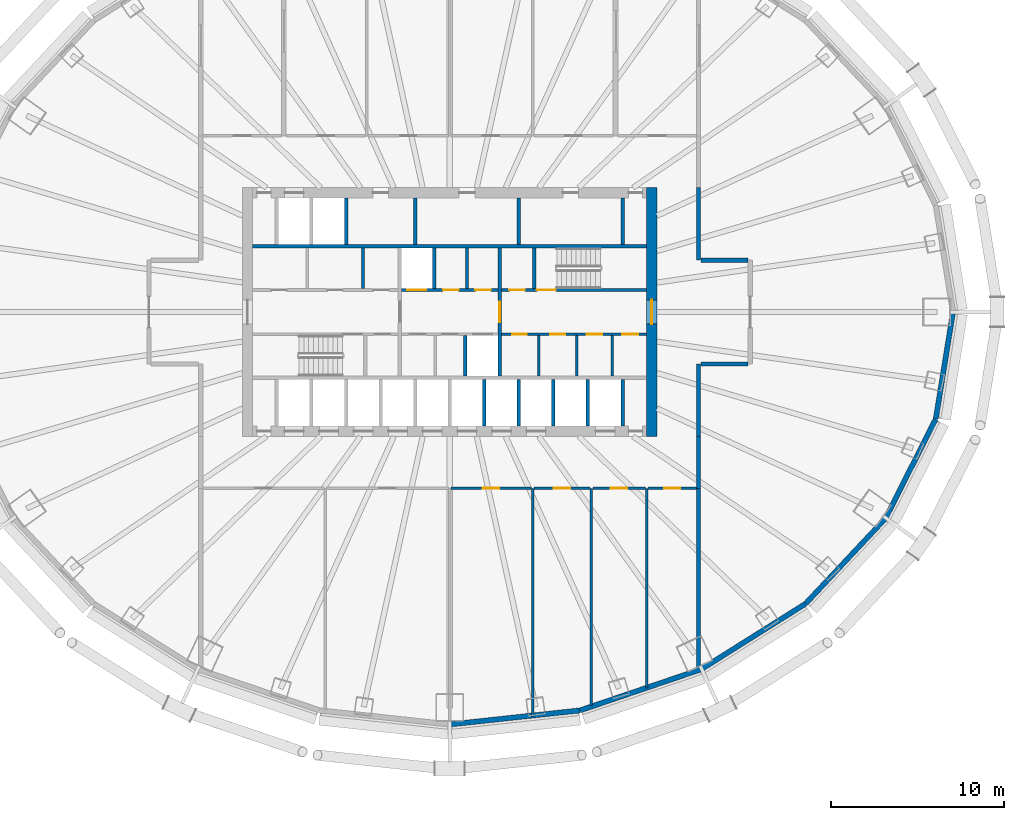
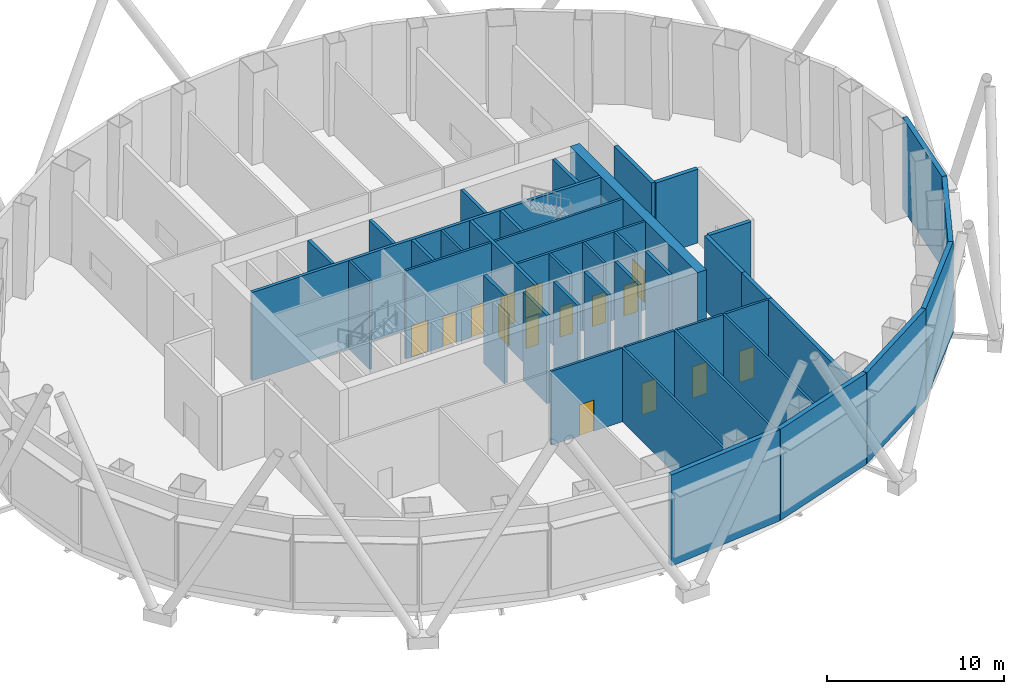
# One storey, part 5 of 13: 42 walls, 15 doors, 15 openings.
"""IFC4 building model written with IfcOpenShell, lengths in metres."""

from ifc_helpers import new_model, si_unit, direction, frame, frame_2d, origin, place, context, subcontext, project, spatial, rectangle, extrude, material, layer, layer_set, type_object, element, fill, save


model = new_model("IFC4")

# Units and contexts
model_context = context("Model", 3, precision=1e-05, world=origin(), true_north=direction((0.0, 1.0)))
body_context = subcontext(model_context, "Body", "Model", "MODEL_VIEW")
ifc_project = project(units=[si_unit("LENGTHUNIT", "METRE"), si_unit("AREAUNIT", "SQUARE_METRE"), si_unit("VOLUMEUNIT", "CUBIC_METRE"), si_unit("PLANEANGLEUNIT", "RADIAN"), si_unit("MASSUNIT", "GRAM", prefix="KILO")], contexts=[model_context])

# Site, building, storey
site_placement = place(None, origin())
site = spatial("IfcSite", under=ifc_project, at=site_placement, CompositionType="ELEMENT")
building_placement = place(site_placement, origin())
building = spatial("IfcBuilding", under=site, at=building_placement, Name="Siaravel Broadcast Tower", CompositionType="ELEMENT")
storey_placement = place(building_placement, frame((0.0, 0.0, 7.0)))
storey = spatial("IfcBuildingStorey", under=building, at=storey_placement, Name="L01", CompositionType="ELEMENT", Elevation=7.0)

# Walls
ifc_material_1 = material(Name="Concrete C40/50", Category="concrete")
ifc_layer_1 = layer(ifc_material_1, 0.300048828125)
ifc_layer_set_1 = layer_set([ifc_layer_1], Name="Concrete C40/50")
wall_type_1 = type_object("IfcWallType", Name="Acoustic studio wall", PredefinedType="STANDARD", material=ifc_layer_set_1)
wall_1_placement = place(storey_placement, frame((0.0, -23.86572265625, 0.0), z_axis=(0.0, 0.0, 1.0), x_axis=(0.994234458, 0.107227995, 0.0)))
element("IfcWall", 1, at=wall_1_placement, inside=storey, type_object=wall_type_1, Name="L01 studio acoustic wall 19", PredefinedType="STANDARD", context=body_context, shape_type="SweptSolid", body=[
    extrude(rectangle(XDim=7.57958984375, YDim=0.300048828125, at=frame_2d((3.789794921875, 0.0))), origin(), (0.0, 0.0, 1.0), 6.300048828125),
])
wall_2_placement = place(storey_placement, frame((7.535888671875, -23.052978515625, 0.0), z_axis=(0.0, 0.0, 1.0), x_axis=(0.946977627, 0.321299508, 0.0)))
element("IfcWall", 2, at=wall_2_placement, inside=storey, type_object=wall_type_1, Name="L01 studio acoustic wall 20", PredefinedType="STANDARD", context=body_context, shape_type="SweptSolid", body=[
    extrude(rectangle(XDim=7.416259765625, YDim=0.300048828125, at=frame_2d((3.7080078125, 0.0))), origin(), (0.0, 0.0, 1.0), 6.300048828125),
])
wall_3_placement = place(storey_placement, frame((14.558837890625, -20.670166015625, 0.0), z_axis=(0.0, 0.0, 1.0), x_axis=(0.846653753, 0.532144175, 0.0)))
element("IfcWall", 3, at=wall_3_placement, inside=storey, type_object=wall_type_1, Name="L01 studio acoustic wall 21", PredefinedType="STANDARD", context=body_context, shape_type="SweptSolid", body=[
    extrude(rectangle(XDim=7.12451171875, YDim=0.300048828125, at=frame_2d((3.562255859375, 0.0))), origin(), (0.0, 0.0, 1.0), 6.300048828125),
])
wall_4_placement = place(storey_placement, frame((20.5908203125, -16.87890625, 0.0), z_axis=(0.0, 0.0, 1.0), x_axis=(0.683676058, 0.729785617, 0.0)))
element("IfcWall", 4, at=wall_4_placement, inside=storey, type_object=wall_type_1, Name="L01 studio acoustic wall 22", PredefinedType="STANDARD", context=body_context, shape_type="SweptSolid", body=[
    extrude(rectangle(XDim=6.77197265625, YDim=0.300048828125, at=frame_2d((3.385986328125, 0.0))), origin(), (0.0, 0.0, 1.0), 6.300048828125),
])
wall_5_placement = place(storey_placement, frame((25.220703125, -11.936767578125, 0.0), z_axis=(0.0, 0.0, 1.0), x_axis=(0.45123552, 0.8924049, 0.0)))
element("IfcWall", 5, at=wall_5_placement, inside=storey, type_object=wall_type_1, Name="L01 studio acoustic wall 23", PredefinedType="STANDARD", context=body_context, shape_type="SweptSolid", body=[
    extrude(rectangle(XDim=6.451416015625, YDim=0.300048828125, at=frame_2d((3.2255859375, 0.0))), origin(), (0.0, 0.0, 1.0), 6.300048828125),
])
wall_6_placement = place(storey_placement, frame((28.1318359375, -6.179443359375, 0.0), z_axis=(0.0, 0.0, 1.0), x_axis=(0.158684207, 0.987329389, 0.0)))
element("IfcWall", 6, at=wall_6_placement, inside=storey, type_object=wall_type_1, Name="L01 studio acoustic wall 24", PredefinedType="STANDARD", context=body_context, shape_type="SweptSolid", body=[
    extrude(rectangle(XDim=6.2587890625, YDim=0.300048828125, at=frame_2d((3.12939453125, 0.0))), origin(), (0.0, 0.0, 1.0), 6.300048828125),
])
ifc_material_2 = material(Name="Concrete blockwork", Category="masonry")
ifc_layer_2 = layer(ifc_material_2, 0.14990234375)
ifc_layer_set_2 = layer_set([ifc_layer_2], Name="Concrete blockwork")
wall_type_2 = type_object("IfcWallType", Name="Core partition 150", PredefinedType="PARTITIONING", material=ifc_layer_set_2)
for number, where, z_axis, x_axis, name in (
    (7, (-5.01904296875, 1.35009765625, 0.0), (0.0, 0.0, 1.0), (0.0, 1.0, 0.0), "L01 core partition PNW1"),
    (8, (5.14208984375, -3.699951171875, 0.0), (0.0, 0.0, 1.0), (0.0, 1.0, 0.0), "L01 core partition PSE0"),
    (9, (7.35888671875, -3.699951171875, 0.0), (0.0, 0.0, 1.0), (0.0, 1.0, 0.0), "L01 core partition PSE1"),
    (10, (9.4169921875, -3.699951171875, 0.0), (0.0, 0.0, 1.0), (0.0, 1.0, 0.0), "L01 core partition PSE2"),
    (11, (1.0, 1.35009765625, 0.0), (0.0, 0.0, 1.0), (0.0, 1.0, 0.0), "L01 core partition PNM0"),
):
    element("IfcWall", number, at=place(storey_placement, frame(where, z_axis=z_axis, x_axis=x_axis)), inside=storey, type_object=wall_type_2, Name=name, PredefinedType="PARTITIONING", context=body_context, shape_type="SweptSolid", body=[
        extrude(rectangle(XDim=2.349853515625, YDim=0.14990234375, at=frame_2d((1.1748046875, 0.0))), origin(), (0.0, 0.0, 1.0), 6.10009765625),
    ])
ifc_layer_3 = layer(ifc_material_2, 0.199951171875)
ifc_layer_set_3 = layer_set([ifc_layer_3], Name="Concrete blockwork")
wall_type_3 = type_object("IfcWallType", Name="Core partition 200", PredefinedType="PARTITIONING", material=ifc_layer_set_3)
for number, where, z_axis, x_axis, name in (
    (12, (-2.0, 3.89990234375, 0.0), (0.0, 0.0, 1.0), (0.0, 1.0, 0.0), "L01 core partition PFN2"),
    (13, (4.0, 3.89990234375, 0.0), (0.0, 0.0, 1.0), (0.0, 1.0, 0.0), "L01 core partition PFN4"),
):
    element("IfcWall", number, at=place(storey_placement, frame(where, z_axis=z_axis, x_axis=x_axis)), inside=storey, type_object=wall_type_3, Name=name, PredefinedType="PARTITIONING", context=body_context, shape_type="SweptSolid", body=[
        extrude(rectangle(XDim=2.7001953125, YDim=0.199951171875, at=frame_2d((1.35009765625, 0.0))), origin(), (0.0, 0.0, 1.0), 6.10009765625),
    ])

# Wall, opening, door
ifc_material_3 = material(Name="Concrete C60/75", Category="concrete")
ifc_layer_4 = layer(ifc_material_3, 0.60009765625)
ifc_layer_set_4 = layer_set([ifc_layer_4], Name="Concrete C60/75")
wall_type_4 = type_object("IfcWallType", Name="Core wall 600", PredefinedType="SHEAR", material=ifc_layer_set_4)
wall_7_placement = place(storey_placement, frame((11.699951171875, -7.199951171875, 0.0), z_axis=(0.0, 0.0, 1.0), x_axis=(0.0, 1.0, 0.0)))
wall_7 = element("IfcWall", 14, at=wall_7_placement, inside=storey, type_object=wall_type_4, Name="L01 core wall OE", PredefinedType="SHEAR", context=body_context, shape_type="SweptSolid", body=[
    extrude(rectangle(XDim=14.39990234375, YDim=0.60009765625, at=frame_2d((7.199951171875, 0.0))), origin(), (0.0, 0.0, 1.0), 6.10009765625),
])
opening_1_placement = place(wall_7_placement, frame((6.5, 0.0, 0.0)))
opening_1 = element("IfcOpeningElement", 15, at=opening_1_placement, cuts=wall_7, Name="Opening L01-DX-E", PredefinedType="OPENING", context=body_context, shape_type="SweptSolid", body=[
    extrude(rectangle(XDim=1.39990234375, YDim=2.199951171875, at=frame_2d((0.699951171875, 1.10009765625))), frame((0.0, 0.31005859375, 0.0), z_axis=(0.0, -1.0, 0.0), x_axis=(1.0, 0.0, 0.0)), (0.0, 0.0, 1.0), 0.6201171875),
])
ifc_material_4 = material(Name="Steel", Category="steel")
door_type_1 = type_object("IfcDoorType", Name="Core exit door 1400", OperationType="DOUBLE_DOOR_SINGLE_SWING", PredefinedType="DOOR", material=ifc_material_4)
door_1_placement = place(opening_1_placement, origin())
door_1 = element("IfcDoor", 16, at=door_1_placement, inside=storey, type_object=door_type_1, Name="L01 door DX-E", OperationType="DOUBLE_DOOR_SINGLE_SWING", OverallHeight=2.199951171875, OverallWidth=1.39990234375, PredefinedType="DOOR", context=body_context, shape_type="SweptSolid", body=[
    extrude(rectangle(XDim=1.39990234375, YDim=2.199951171875, at=frame_2d((0.699951171875, 1.10009765625))), frame((0.0, 0.02490234375, 0.0), z_axis=(0.0, -1.0, 0.0), x_axis=(1.0, 0.0, 0.0)), (0.0, 0.0, 1.0), 0.050048828125),
])
fill(opening_1, door_1)

# Wall, openings, doors
ifc_material_5 = material(Name="Gypsum board partition", Category="gypsum")
ifc_layer_5 = layer(ifc_material_5, 0.14990234375)
ifc_layer_set_5 = layer_set([ifc_layer_5], Name="Gypsum board partition")
wall_type_5 = type_object("IfcWallType", Name="Corridor wall 150", PredefinedType="PARTITIONING", material=ifc_layer_set_5)
wall_8_placement = place(storey_placement, frame((3.0, -1.27490234375, 0.0), z_axis=(0.0, 0.0, 1.0), x_axis=(1.0, 0.0, 0.0)))
wall_8 = element("IfcWall", 17, at=wall_8_placement, inside=storey, type_object=wall_type_5, Name="L01 core partition CSE", PredefinedType="PARTITIONING", context=body_context, shape_type="SweptSolid", body=[
    extrude(rectangle(XDim=8.39990234375, YDim=0.14990234375, at=frame_2d((4.199951171875, 0.0))), origin(), (0.0, 0.0, 1.0), 6.10009765625),
])
opening_2_placement = place(wall_8_placement, frame((0.6083984375, 0.0, 0.0)))
opening_2 = element("IfcOpeningElement", 18, at=opening_2_placement, cuts=wall_8, Name="Opening L01-DSE0", PredefinedType="OPENING", context=body_context, shape_type="SweptSolid", body=[
    extrude(rectangle(XDim=0.85009765625, YDim=2.10009765625, at=frame_2d((0.425048828125, 1.050048828125))), frame((0.0, 0.0849609375, 0.0), z_axis=(0.0, -1.0, 0.0), x_axis=(1.0, 0.0, 0.0)), (0.0, 0.0, 1.0), 0.169921875),
])
opening_3_placement = place(wall_8_placement, frame((2.825439453125, 0.0, 0.0)))
opening_3 = element("IfcOpeningElement", 19, at=opening_3_placement, cuts=wall_8, Name="Opening L01-DSE1", PredefinedType="OPENING", context=body_context, shape_type="SweptSolid", body=[
    extrude(rectangle(XDim=0.85009765625, YDim=2.10009765625, at=frame_2d((0.425048828125, 1.050048828125))), frame((0.0, 0.0849609375, 0.0), z_axis=(0.0, -1.0, 0.0), x_axis=(1.0, 0.0, 0.0)), (0.0, 0.0, 1.0), 0.169921875),
])
opening_4_placement = place(wall_8_placement, frame((4.93798828125, 0.0, 0.0)))
opening_4 = element("IfcOpeningElement", 20, at=opening_4_placement, cuts=wall_8, Name="Opening L01-DSE2", PredefinedType="OPENING", context=body_context, shape_type="SweptSolid", body=[
    extrude(rectangle(XDim=0.89990234375, YDim=2.10009765625, at=frame_2d((0.449951171875, 1.050048828125))), frame((0.0, 0.0849609375, 0.0), z_axis=(0.0, -1.0, 0.0), x_axis=(1.0, 0.0, 0.0)), (0.0, 0.0, 1.0), 0.169921875),
])
opening_5_placement = place(wall_8_placement, frame((6.99609375, 0.0, 0.0)))
opening_5 = element("IfcOpeningElement", 21, at=opening_5_placement, cuts=wall_8, Name="Opening L01-DSE3", PredefinedType="OPENING", context=body_context, shape_type="SweptSolid", body=[
    extrude(rectangle(XDim=0.89990234375, YDim=2.10009765625, at=frame_2d((0.449951171875, 1.050048828125))), frame((0.0, 0.0849609375, 0.0), z_axis=(0.0, -1.0, 0.0), x_axis=(1.0, 0.0, 0.0)), (0.0, 0.0, 1.0), 0.169921875),
])
ifc_material_6 = material(Name="Timber veneer", Category="wood")
door_type_2 = type_object("IfcDoorType", Name="Core room door 900", OperationType="SINGLE_SWING_LEFT", PredefinedType="DOOR", material=ifc_material_6)
door_2_placement = place(opening_4_placement, origin())
door_2 = element("IfcDoor", 22, at=door_2_placement, inside=storey, type_object=door_type_2, Name="L01 door DSE2", OperationType="SINGLE_SWING_LEFT", OverallHeight=2.10009765625, OverallWidth=0.89990234375, PredefinedType="DOOR", context=body_context, shape_type="SweptSolid", body=[
    extrude(rectangle(XDim=0.89990234375, YDim=2.10009765625, at=frame_2d((0.449951171875, 1.050048828125))), frame((0.0, 0.02490234375, 0.0), z_axis=(0.0, -1.0, 0.0), x_axis=(1.0, 0.0, 0.0)), (0.0, 0.0, 1.0), 0.050048828125),
])
fill(opening_4, door_2)
door_3_placement = place(opening_5_placement, origin())
door_3 = element("IfcDoor", 23, at=door_3_placement, inside=storey, type_object=door_type_2, Name="L01 door DSE3", OperationType="SINGLE_SWING_LEFT", OverallHeight=2.10009765625, OverallWidth=0.89990234375, PredefinedType="DOOR", context=body_context, shape_type="SweptSolid", body=[
    extrude(rectangle(XDim=0.89990234375, YDim=2.10009765625, at=frame_2d((0.449951171875, 1.050048828125))), frame((0.0, 0.02490234375, 0.0), z_axis=(0.0, -1.0, 0.0), x_axis=(1.0, 0.0, 0.0)), (0.0, 0.0, 1.0), 0.050048828125),
])
fill(opening_5, door_3)
door_type_3 = type_object("IfcDoorType", Name="Core toilet door 850", OperationType="SINGLE_SWING_LEFT", PredefinedType="DOOR", material=ifc_material_6)
door_4_placement = place(opening_2_placement, origin())
door_4 = element("IfcDoor", 24, at=door_4_placement, inside=storey, type_object=door_type_3, Name="L01 door DSE0", OperationType="SINGLE_SWING_LEFT", OverallHeight=2.10009765625, OverallWidth=0.85009765625, PredefinedType="DOOR", context=body_context, shape_type="SweptSolid", body=[
    extrude(rectangle(XDim=0.85009765625, YDim=2.10009765625, at=frame_2d((0.425048828125, 1.050048828125))), frame((0.0, 0.02490234375, 0.0), z_axis=(0.0, -1.0, 0.0), x_axis=(1.0, 0.0, 0.0)), (0.0, 0.0, 1.0), 0.050048828125),
])
fill(opening_2, door_4)
door_5_placement = place(opening_3_placement, origin())
door_5 = element("IfcDoor", 25, at=door_5_placement, inside=storey, type_object=door_type_3, Name="L01 door DSE1", OperationType="SINGLE_SWING_LEFT", OverallHeight=2.10009765625, OverallWidth=0.85009765625, PredefinedType="DOOR", context=body_context, shape_type="SweptSolid", body=[
    extrude(rectangle(XDim=0.85009765625, YDim=2.10009765625, at=frame_2d((0.425048828125, 1.050048828125))), frame((0.0, 0.02490234375, 0.0), z_axis=(0.0, -1.0, 0.0), x_axis=(1.0, 0.0, 0.0)), (0.0, 0.0, 1.0), 0.050048828125),
])
fill(opening_3, door_5)

# Wall, opening, door
wall_9_placement = place(storey_placement, frame((0.076904296875, -10.199951171875, 0.0), z_axis=(0.0, 0.0, 1.0), x_axis=(1.0, 0.0, 0.0)))
wall_9 = element("IfcWall", 26, at=wall_9_placement, inside=storey, type_object=wall_type_5, Name="L01 partition 22", PredefinedType="PARTITIONING", context=body_context, shape_type="SweptSolid", body=[
    extrude(rectangle(XDim=4.64599609375, YDim=0.14990234375, at=frame_2d((2.322998046875, 0.0))), origin(), (0.0, 0.0, 1.0), 5.10009765625),
])
opening_6_placement = place(wall_9_placement, frame((1.847900390625, 0.0, 0.0)))
opening_6 = element("IfcOpeningElement", 27, at=opening_6_placement, cuts=wall_9, Name="Opening L01-009", PredefinedType="OPENING", context=body_context, shape_type="SweptSolid", body=[
    extrude(rectangle(XDim=0.949951171875, YDim=2.14990234375, at=frame_2d((0.47509765625, 1.074951171875))), frame((0.0, 0.0849609375, 0.0), z_axis=(0.0, -1.0, 0.0), x_axis=(1.0, 0.0, 0.0)), (0.0, 0.0, 1.0), 0.169921875),
])
door_type_4 = type_object("IfcDoorType", Name="Office door 950", OperationType="SINGLE_SWING_LEFT", PredefinedType="DOOR", material=ifc_material_6)
door_6_placement = place(opening_6_placement, origin())
door_6 = element("IfcDoor", 28, at=door_6_placement, inside=storey, type_object=door_type_4, Name="L01 door to Costume store", OperationType="SINGLE_SWING_LEFT", OverallHeight=2.14990234375, OverallWidth=0.949951171875, PredefinedType="DOOR", context=body_context, shape_type="SweptSolid", body=[
    extrude(rectangle(XDim=0.949951171875, YDim=2.14990234375, at=frame_2d((0.47509765625, 1.074951171875))), frame((0.0, 0.02490234375, 0.0), z_axis=(0.0, -1.0, 0.0), x_axis=(1.0, 0.0, 0.0)), (0.0, 0.0, 1.0), 0.050048828125),
])
fill(opening_6, door_6)

wall_10_placement = place(storey_placement, frame((4.876953125, -10.199951171875, 0.0), z_axis=(0.0, 0.0, 1.0), x_axis=(1.0, 0.0, 0.0)))
wall_10 = element("IfcWall", 29, at=wall_10_placement, inside=storey, type_object=wall_type_5, Name="L01 partition 30", PredefinedType="PARTITIONING", context=body_context, shape_type="SweptSolid", body=[
    extrude(rectangle(XDim=3.24609375, YDim=0.14990234375, at=frame_2d((1.623046875, 0.0))), origin(), (0.0, 0.0, 1.0), 5.10009765625),
])
opening_7_placement = place(wall_10_placement, frame((1.14794921875, 0.0, 0.0)))
opening_7 = element("IfcOpeningElement", 30, at=opening_7_placement, cuts=wall_10, Name="Opening L01-010", PredefinedType="OPENING", context=body_context, shape_type="SweptSolid", body=[
    extrude(rectangle(XDim=0.949951171875, YDim=2.14990234375, at=frame_2d((0.47509765625, 1.074951171875))), frame((0.0, 0.0849609375, 0.0), z_axis=(0.0, -1.0, 0.0), x_axis=(1.0, 0.0, 0.0)), (0.0, 0.0, 1.0), 0.169921875),
])
door_7_placement = place(opening_7_placement, origin())
door_7 = element("IfcDoor", 31, at=door_7_placement, inside=storey, type_object=door_type_4, Name="L01 door to Camera equipment store", OperationType="SINGLE_SWING_RIGHT", OverallHeight=2.14990234375, OverallWidth=0.949951171875, PredefinedType="DOOR", context=body_context, shape_type="SweptSolid", body=[
    extrude(rectangle(XDim=0.949951171875, YDim=2.14990234375, at=frame_2d((0.47509765625, 1.074951171875))), frame((0.0, 0.02490234375, 0.0), z_axis=(0.0, -1.0, 0.0), x_axis=(1.0, 0.0, 0.0)), (0.0, 0.0, 1.0), 0.050048828125),
])
fill(opening_7, door_7)

wall_11_placement = place(storey_placement, frame((8.277099609375, -10.199951171875, 0.0), z_axis=(0.0, 0.0, 1.0), x_axis=(1.0, 0.0, 0.0)))
wall_11 = element("IfcWall", 32, at=wall_11_placement, inside=storey, type_object=wall_type_5, Name="L01 partition 31", PredefinedType="PARTITIONING", context=body_context, shape_type="SweptSolid", body=[
    extrude(rectangle(XDim=3.0458984375, YDim=0.14990234375, at=frame_2d((1.52294921875, 0.0))), origin(), (0.0, 0.0, 1.0), 5.10009765625),
])
opening_8_placement = place(wall_11_placement, frame((1.048095703125, 0.0, 0.0)))
opening_8 = element("IfcOpeningElement", 33, at=opening_8_placement, cuts=wall_11, Name="Opening L01-011", PredefinedType="OPENING", context=body_context, shape_type="SweptSolid", body=[
    extrude(rectangle(XDim=0.949951171875, YDim=2.14990234375, at=frame_2d((0.47509765625, 1.074951171875))), frame((0.0, 0.0849609375, 0.0), z_axis=(0.0, -1.0, 0.0), x_axis=(1.0, 0.0, 0.0)), (0.0, 0.0, 1.0), 0.169921875),
])
door_8_placement = place(opening_8_placement, origin())
door_8 = element("IfcDoor", 34, at=door_8_placement, inside=storey, type_object=door_type_4, Name="L01 door to Lighting store", OperationType="SINGLE_SWING_LEFT", OverallHeight=2.14990234375, OverallWidth=0.949951171875, PredefinedType="DOOR", context=body_context, shape_type="SweptSolid", body=[
    extrude(rectangle(XDim=0.949951171875, YDim=2.14990234375, at=frame_2d((0.47509765625, 1.074951171875))), frame((0.0, 0.02490234375, 0.0), z_axis=(0.0, -1.0, 0.0), x_axis=(1.0, 0.0, 0.0)), (0.0, 0.0, 1.0), 0.050048828125),
])
fill(opening_8, door_8)

wall_12_placement = place(storey_placement, frame((11.47705078125, -10.199951171875, 0.0), z_axis=(0.0, 0.0, 1.0), x_axis=(1.0, 0.0, 0.0)))
wall_12 = element("IfcWall", 35, at=wall_12_placement, inside=storey, type_object=wall_type_5, Name="L01 partition 36", PredefinedType="PARTITIONING", context=body_context, shape_type="SweptSolid", body=[
    extrude(rectangle(XDim=2.797119140625, YDim=0.14990234375, at=frame_2d((1.3984375, 0.0))), origin(), (0.0, 0.0, 1.0), 5.10009765625),
])
opening_9_placement = place(wall_12_placement, frame((0.923583984375, 0.0, 0.0)))
opening_9 = element("IfcOpeningElement", 36, at=opening_9_placement, cuts=wall_12, Name="Opening L01-012", PredefinedType="OPENING", context=body_context, shape_type="SweptSolid", body=[
    extrude(rectangle(XDim=0.949951171875, YDim=2.14990234375, at=frame_2d((0.47509765625, 1.074951171875))), frame((0.0, 0.0849609375, 0.0), z_axis=(0.0, -1.0, 0.0), x_axis=(1.0, 0.0, 0.0)), (0.0, 0.0, 1.0), 0.169921875),
])
door_9_placement = place(opening_9_placement, origin())
door_9 = element("IfcDoor", 37, at=door_9_placement, inside=storey, type_object=door_type_4, Name="L01 door to Cable store", OperationType="SINGLE_SWING_RIGHT", OverallHeight=2.14990234375, OverallWidth=0.949951171875, PredefinedType="DOOR", context=body_context, shape_type="SweptSolid", body=[
    extrude(rectangle(XDim=0.949951171875, YDim=2.14990234375, at=frame_2d((0.47509765625, 1.074951171875))), frame((0.0, 0.02490234375, 0.0), z_axis=(0.0, -1.0, 0.0), x_axis=(1.0, 0.0, 0.0)), (0.0, 0.0, 1.0), 0.050048828125),
])
fill(opening_9, door_9)

# Walls
ifc_layer_6 = layer(ifc_material_5, 0.14990234375)
ifc_layer_set_6 = layer_set([ifc_layer_6], Name="Gypsum board partition")
wall_type_6 = type_object("IfcWallType", Name="Room partition 150", PredefinedType="PARTITIONING", material=ifc_layer_set_6)
wall_13_placement = place(storey_placement, frame((4.800048828125, -23.360107421875, 0.0), z_axis=(0.0, 0.0, 1.0), x_axis=(0.0, 1.0, 0.0)))
element("IfcWall", 38, at=wall_13_placement, inside=storey, type_object=wall_type_6, Name="L01 partition 4", PredefinedType="PARTITIONING", context=body_context, shape_type="SweptSolid", body=[
    extrude(rectangle(XDim=13.16015625, YDim=0.14990234375, at=frame_2d((6.580078125, 0.0))), origin(), (0.0, 0.0, 1.0), 5.10009765625),
])
wall_14_placement = place(storey_placement, frame((8.199951171875, -22.777587890625, 0.0), z_axis=(0.0, 0.0, 1.0), x_axis=(0.0, 1.0, 0.0)))
element("IfcWall", 39, at=wall_14_placement, inside=storey, type_object=wall_type_6, Name="L01 partition 7", PredefinedType="PARTITIONING", context=body_context, shape_type="SweptSolid", body=[
    extrude(rectangle(XDim=12.57763671875, YDim=0.14990234375, at=frame_2d((6.288818359375, 0.0))), origin(), (0.0, 0.0, 1.0), 5.10009765625),
])
wall_15_placement = place(storey_placement, frame((11.39990234375, -21.7587890625, 0.0), z_axis=(0.0, 0.0, 1.0), x_axis=(0.0, 1.0, 0.0)))
element("IfcWall", 40, at=wall_15_placement, inside=storey, type_object=wall_type_6, Name="L01 partition 10", PredefinedType="PARTITIONING", context=body_context, shape_type="SweptSolid", body=[
    extrude(rectangle(XDim=11.558837890625, YDim=0.14990234375, at=frame_2d((5.779296875, 0.0))), origin(), (0.0, 0.0, 1.0), 5.10009765625),
])

# Wall, openings, doors
ifc_layer_7 = layer(ifc_material_3, 0.14990234375)
ifc_layer_set_7 = layer_set([ifc_layer_7], Name="Concrete C60/75")
wall_type_7 = type_object("IfcWallType", Name="Shaft wall 150", PredefinedType="SHEAR", material=ifc_layer_set_7)
wall_16_placement = place(storey_placement, frame((-2.800048828125, 1.27490234375, 0.0), z_axis=(0.0, 0.0, 1.0), x_axis=(1.0, 0.0, 0.0)))
wall_16 = element("IfcWall", 41, at=wall_16_placement, inside=storey, type_object=wall_type_7, Name="L01 core wall CNM", PredefinedType="SHEAR", context=body_context, shape_type="SweptSolid", body=[
    extrude(rectangle(XDim=5.60009765625, YDim=0.14990234375, at=frame_2d((2.800048828125, 0.0))), origin(), (0.0, 0.0, 1.0), 6.10009765625),
])
opening_10_placement = place(wall_16_placement, frame((0.35009765625, 0.0, 0.0)))
opening_10 = element("IfcOpeningElement", 42, at=opening_10_placement, cuts=wall_16, Name="Opening LD-FL1-L01", PredefinedType="OPENING", context=body_context, shape_type="SweptSolid", body=[
    extrude(rectangle(XDim=1.10009765625, YDim=2.199951171875, at=frame_2d((0.550048828125, 1.10009765625))), frame((0.0, 0.0849609375, 0.0), z_axis=(0.0, -1.0, 0.0), x_axis=(1.0, 0.0, 0.0)), (0.0, 0.0, 1.0), 0.169921875),
])
opening_11_placement = place(wall_16_placement, frame((2.41259765625, 0.0, 0.0)))
opening_11 = element("IfcOpeningElement", 43, at=opening_11_placement, cuts=wall_16, Name="Opening L01-DNM0", PredefinedType="OPENING", context=body_context, shape_type="SweptSolid", body=[
    extrude(rectangle(XDim=0.89990234375, YDim=2.10009765625, at=frame_2d((0.449951171875, 1.050048828125))), frame((0.0, 0.0849609375, 0.0), z_axis=(0.0, -1.0, 0.0), x_axis=(1.0, 0.0, 0.0)), (0.0, 0.0, 1.0), 0.169921875),
])
opening_12_placement = place(wall_16_placement, frame((4.28759765625, 0.0, 0.0)))
opening_12 = element("IfcOpeningElement", 44, at=opening_12_placement, cuts=wall_16, Name="Opening L01-DNM1", PredefinedType="OPENING", context=body_context, shape_type="SweptSolid", body=[
    extrude(rectangle(XDim=0.89990234375, YDim=2.10009765625, at=frame_2d((0.449951171875, 1.050048828125))), frame((0.0, 0.0849609375, 0.0), z_axis=(0.0, -1.0, 0.0), x_axis=(1.0, 0.0, 0.0)), (0.0, 0.0, 1.0), 0.169921875),
])
door_10_placement = place(opening_11_placement, origin())
door_10 = element("IfcDoor", 45, at=door_10_placement, inside=storey, type_object=door_type_2, Name="L01 door DNM0", OperationType="SINGLE_SWING_LEFT", OverallHeight=2.10009765625, OverallWidth=0.89990234375, PredefinedType="DOOR", context=body_context, shape_type="SweptSolid", body=[
    extrude(rectangle(XDim=0.89990234375, YDim=2.10009765625, at=frame_2d((0.449951171875, 1.050048828125))), frame((0.0, 0.02490234375, 0.0), z_axis=(0.0, -1.0, 0.0), x_axis=(1.0, 0.0, 0.0)), (0.0, 0.0, 1.0), 0.050048828125),
])
fill(opening_11, door_10)
door_11_placement = place(opening_12_placement, origin())
door_11 = element("IfcDoor", 46, at=door_11_placement, inside=storey, type_object=door_type_2, Name="L01 door DNM1", OperationType="SINGLE_SWING_LEFT", OverallHeight=2.10009765625, OverallWidth=0.89990234375, PredefinedType="DOOR", context=body_context, shape_type="SweptSolid", body=[
    extrude(rectangle(XDim=0.89990234375, YDim=2.10009765625, at=frame_2d((0.449951171875, 1.050048828125))), frame((0.0, 0.02490234375, 0.0), z_axis=(0.0, -1.0, 0.0), x_axis=(1.0, 0.0, 0.0)), (0.0, 0.0, 1.0), 0.050048828125),
])
fill(opening_12, door_11)
ifc_material_7 = material(Name="Stainless steel 316L", Category="steel")
door_type_5 = type_object("IfcDoorType", Name="Firefighting lift landing door 1100", OperationType="DOUBLE_DOOR_SLIDING", PredefinedType="DOOR", material=ifc_material_7)
door_12_placement = place(opening_10_placement, origin())
door_12 = element("IfcDoor", 47, at=door_12_placement, inside=storey, type_object=door_type_5, Name="Landing door FL1 L01", OperationType="DOUBLE_DOOR_SLIDING", OverallHeight=2.199951171875, OverallWidth=1.10009765625, PredefinedType="DOOR", context=body_context, shape_type="SweptSolid", body=[
    extrude(rectangle(XDim=1.10009765625, YDim=2.199951171875, at=frame_2d((0.550048828125, 1.10009765625))), frame((0.0, 0.02490234375, 0.0), z_axis=(0.0, -1.0, 0.0), x_axis=(1.0, 0.0, 0.0)), (0.0, 0.0, 1.0), 0.050048828125),
])
fill(opening_10, door_12)

wall_17_placement = place(storey_placement, frame((3.0, 1.27490234375, 0.0), z_axis=(0.0, 0.0, 1.0), x_axis=(1.0, 0.0, 0.0)))
wall_17 = element("IfcWall", 48, at=wall_17_placement, inside=storey, type_object=wall_type_7, Name="L01 core wall CNE", PredefinedType="SHEAR", context=body_context, shape_type="SweptSolid", body=[
    extrude(rectangle(XDim=8.39990234375, YDim=0.14990234375, at=frame_2d((4.199951171875, 0.0))), origin(), (0.0, 0.0, 1.0), 6.10009765625),
])
opening_13_placement = place(wall_17_placement, frame((2.050048828125, 0.0, 0.0)))
opening_13 = element("IfcOpeningElement", 49, at=opening_13_placement, cuts=wall_17, Name="Opening L01-DS-2", PredefinedType="OPENING", context=body_context, shape_type="SweptSolid", body=[
    extrude(rectangle(XDim=1.10009765625, YDim=2.14990234375, at=frame_2d((0.550048828125, 1.074951171875))), frame((0.0, 0.0849609375, 0.0), z_axis=(0.0, -1.0, 0.0), x_axis=(1.0, 0.0, 0.0)), (0.0, 0.0, 1.0), 0.169921875),
])
opening_14_placement = place(wall_17_placement, frame((0.449951171875, 0.0, 0.0)))
opening_14 = element("IfcOpeningElement", 50, at=opening_14_placement, cuts=wall_17, Name="Opening L01-DNE0", PredefinedType="OPENING", context=body_context, shape_type="SweptSolid", body=[
    extrude(rectangle(XDim=0.89990234375, YDim=2.10009765625, at=frame_2d((0.449951171875, 1.050048828125))), frame((0.0, 0.0849609375, 0.0), z_axis=(0.0, -1.0, 0.0), x_axis=(1.0, 0.0, 0.0)), (0.0, 0.0, 1.0), 0.169921875),
])
door_13_placement = place(opening_14_placement, origin())
door_13 = element("IfcDoor", 51, at=door_13_placement, inside=storey, type_object=door_type_2, Name="L01 door DNE0", OperationType="SINGLE_SWING_LEFT", OverallHeight=2.10009765625, OverallWidth=0.89990234375, PredefinedType="DOOR", context=body_context, shape_type="SweptSolid", body=[
    extrude(rectangle(XDim=0.89990234375, YDim=2.10009765625, at=frame_2d((0.449951171875, 1.050048828125))), frame((0.0, 0.02490234375, 0.0), z_axis=(0.0, -1.0, 0.0), x_axis=(1.0, 0.0, 0.0)), (0.0, 0.0, 1.0), 0.050048828125),
])
fill(opening_14, door_13)
door_type_6 = type_object("IfcDoorType", Name="Stair door 1100", OperationType="SINGLE_SWING_LEFT", PredefinedType="DOOR", material=ifc_material_4)
door_14_placement = place(opening_13_placement, origin())
door_14 = element("IfcDoor", 52, at=door_14_placement, inside=storey, type_object=door_type_6, Name="L01 door DS-2", OperationType="SINGLE_SWING_LEFT", OverallHeight=2.14990234375, OverallWidth=1.10009765625, PredefinedType="DOOR", context=body_context, shape_type="SweptSolid", body=[
    extrude(rectangle(XDim=1.10009765625, YDim=2.14990234375, at=frame_2d((0.550048828125, 1.074951171875))), frame((0.0, 0.02490234375, 0.0), z_axis=(0.0, -1.0, 0.0), x_axis=(1.0, 0.0, 0.0)), (0.0, 0.0, 1.0), 0.050048828125),
])
fill(opening_13, door_14)

# Walls
ifc_layer_8 = layer(ifc_material_3, 0.199951171875)
ifc_layer_set_8 = layer_set([ifc_layer_8], Name="Concrete C60/75")
wall_type_8 = type_object("IfcWallType", Name="Shaft wall 200", PredefinedType="SHEAR", material=ifc_layer_set_8)
wall_18_placement = place(storey_placement, frame((-11.39990234375, 3.800048828125, 0.0), z_axis=(0.0, 0.0, 1.0), x_axis=(1.0, 0.0, 0.0)))
element("IfcWall", 53, at=wall_18_placement, inside=storey, type_object=wall_type_8, Name="L01 core wall BN", PredefinedType="SHEAR", context=body_context, shape_type="SweptSolid", body=[
    extrude(rectangle(XDim=22.7998046875, YDim=0.199951171875, at=frame_2d((11.39990234375, 0.0))), origin(), (0.0, 0.0, 1.0), 6.10009765625),
])
for number, where, z_axis, x_axis, name in (
    (54, (2.0, -6.60009765625, 0.0), (0.0, 0.0, 1.0), (0.0, 1.0, 0.0), "L01 core wall SWS6"),
    (55, (4.0, -6.60009765625, 0.0), (0.0, 0.0, 1.0), (0.0, 1.0, 0.0), "L01 core wall SWS7"),
    (56, (6.0, -6.60009765625, 0.0), (0.0, 0.0, 1.0), (0.0, 1.0, 0.0), "L01 core wall SWS8"),
    (57, (8.0, -6.60009765625, 0.0), (0.0, 0.0, 1.0), (0.0, 1.0, 0.0), "L01 core wall SWS9"),
    (58, (10.0, -6.60009765625, 0.0), (0.0, 0.0, 1.0), (0.0, 1.0, 0.0), "L01 core wall SWS10"),
    (59, (-6.0, 3.89990234375, 0.0), (0.0, 0.0, 1.0), (0.0, 1.0, 0.0), "L01 core wall SWN2"),
    (60, (10.0, 3.89990234375, 0.0), (0.0, 0.0, 1.0), (0.0, 1.0, 0.0), "L01 core wall SWN10"),
):
    element("IfcWall", number, at=place(storey_placement, frame(where, z_axis=z_axis, x_axis=x_axis)), inside=storey, type_object=wall_type_8, Name=name, PredefinedType="SHEAR", context=body_context, shape_type="SweptSolid", body=[
        extrude(rectangle(XDim=2.7001953125, YDim=0.199951171875, at=frame_2d((1.35009765625, 0.0))), origin(), (0.0, 0.0, 1.0), 6.10009765625),
    ])

# Wall, opening, door
wall_19_placement = place(storey_placement, frame((2.89990234375, -3.699951171875, 0.0), z_axis=(0.0, 0.0, 1.0), x_axis=(0.0, 1.0, 0.0)))
wall_19 = element("IfcWall", 61, at=wall_19_placement, inside=storey, type_object=wall_type_8, Name="L01 core wall LE", PredefinedType="SHEAR", context=body_context, shape_type="SweptSolid", body=[
    extrude(rectangle(XDim=7.39990234375, YDim=0.199951171875, at=frame_2d((3.699951171875, 0.0))), origin(), (0.0, 0.0, 1.0), 6.10009765625),
])
opening_15_placement = place(wall_19_placement, frame((3.10009765625, 0.0, 0.0)))
opening_15 = element("IfcOpeningElement", 62, at=opening_15_placement, cuts=wall_19, Name="Opening L01-DL-E", PredefinedType="OPENING", context=body_context, shape_type="SweptSolid", body=[
    extrude(rectangle(XDim=1.199951171875, YDim=2.199951171875, at=frame_2d((0.60009765625, 1.10009765625))), frame((0.0, 0.10986328125, 0.0), z_axis=(0.0, -1.0, 0.0), x_axis=(1.0, 0.0, 0.0)), (0.0, 0.0, 1.0), 0.219970703125),
])
door_type_7 = type_object("IfcDoorType", Name="Firefighting lobby door 1200", OperationType="SINGLE_SWING_LEFT", PredefinedType="DOOR", material=ifc_material_4)
door_15_placement = place(opening_15_placement, origin())
door_15 = element("IfcDoor", 63, at=door_15_placement, inside=storey, type_object=door_type_7, Name="L01 door DL-E", OperationType="SINGLE_SWING_LEFT", OverallHeight=2.199951171875, OverallWidth=1.199951171875, PredefinedType="DOOR", context=body_context, shape_type="SweptSolid", body=[
    extrude(rectangle(XDim=1.199951171875, YDim=2.199951171875, at=frame_2d((0.60009765625, 1.10009765625))), frame((0.0, 0.02490234375, 0.0), z_axis=(0.0, -1.0, 0.0), x_axis=(1.0, 0.0, 0.0)), (0.0, 0.0, 1.0), 0.050048828125),
])
fill(opening_15, door_15)

# Walls
for number, where, z_axis, x_axis, name in (
    (64, (-0.89990234375, 1.35009765625, 0.0), (0.0, 0.0, 1.0), (0.0, 1.0, 0.0), "L01 core wall FF1E"),
    (65, (0.89990234375, -3.699951171875, 0.0), (0.0, 0.0, 1.0), (0.0, 1.0, 0.0), "L01 core wall FF2W"),
    (66, (4.89990234375, 1.35009765625, 0.0), (0.0, 0.0, 1.0), (0.0, 1.0, 0.0), "L01 core wall ST2W"),
):
    element("IfcWall", number, at=place(storey_placement, frame(where, z_axis=z_axis, x_axis=x_axis)), inside=storey, type_object=wall_type_8, Name=name, PredefinedType="SHEAR", context=body_context, shape_type="SweptSolid", body=[
        extrude(rectangle(XDim=2.349853515625, YDim=0.199951171875, at=frame_2d((1.1748046875, 0.0))), origin(), (0.0, 0.0, 1.0), 6.10009765625),
    ])
ifc_layer_9 = layer(ifc_material_2, 0.25)
ifc_layer_set_9 = layer_set([ifc_layer_9], Name="Concrete blockwork")
wall_type_9 = type_object("IfcWallType", Name="Studio wall 250", PredefinedType="PARTITIONING", material=ifc_layer_set_9)
wall_20_placement = place(storey_placement, frame((14.39990234375, -10.199951171875, 0.0), z_axis=(0.0, 0.0, 1.0), x_axis=(0.0, -1.0, 0.0)))
element("IfcWall", 67, at=wall_20_placement, inside=storey, type_object=wall_type_9, Name="L01 partition 13", PredefinedType="PARTITIONING", context=body_context, shape_type="SweptSolid", body=[
    extrude(rectangle(XDim=10.47412109375, YDim=0.25, at=frame_2d((5.237060546875, 0.0))), origin(), (0.0, 0.0, 1.0), 5.10009765625),
])
for number, where, z_axis, x_axis, name in (
    (68, (14.39990234375, -7.2119140625, 0.0), (0.0, 0.0, 1.0), (0.0, 1.0, 0.0), "L01 partition 28"),
    (69, (14.39990234375, 3.0, 0.0), (0.0, 0.0, 1.0), (0.0, 1.0, 0.0), "L01 partition 29"),
):
    element("IfcWall", number, at=place(storey_placement, frame(where, z_axis=z_axis, x_axis=x_axis)), inside=storey, type_object=wall_type_9, Name=name, PredefinedType="PARTITIONING", context=body_context, shape_type="SweptSolid", body=[
        extrude(rectangle(XDim=4.2119140625, YDim=0.25, at=frame_2d((2.10595703125, 0.0))), origin(), (0.0, 0.0, 1.0), 5.10009765625),
    ])
wall_21_placement = place(storey_placement, frame((14.39990234375, -10.198974609375, 0.0), z_axis=(0.0, 0.0, 1.0), x_axis=(0.0, 1.0, 0.0)))
element("IfcWall", 70, at=wall_21_placement, inside=storey, type_object=wall_type_9, Name="L01 partition 34", PredefinedType="PARTITIONING", context=body_context, shape_type="SweptSolid", body=[
    extrude(rectangle(XDim=2.986083984375, YDim=0.25, at=frame_2d((1.4931640625, 0.0))), origin(), (0.0, 0.0, 1.0), 5.10009765625),
])
for number, where, z_axis, x_axis, name in (
    (71, (14.527099609375, -3.0, 0.0), (0.0, 0.0, 1.0), (1.0, 0.0, 0.0), "L01 partition 39"),
    (72, (17.27294921875, 3.0, 0.0), (0.0, 0.0, 1.0), (-1.0, 0.0, 0.0), "L01 partition 40"),
):
    element("IfcWall", number, at=place(storey_placement, frame(where, z_axis=z_axis, x_axis=x_axis)), inside=storey, type_object=wall_type_9, Name=name, PredefinedType="PARTITIONING", context=body_context, shape_type="SweptSolid", body=[
        extrude(rectangle(XDim=2.745849609375, YDim=0.25, at=frame_2d((1.373046875, 0.0))), origin(), (0.0, 0.0, 1.0), 5.10009765625),
    ])

save(model, "model.ifc")
